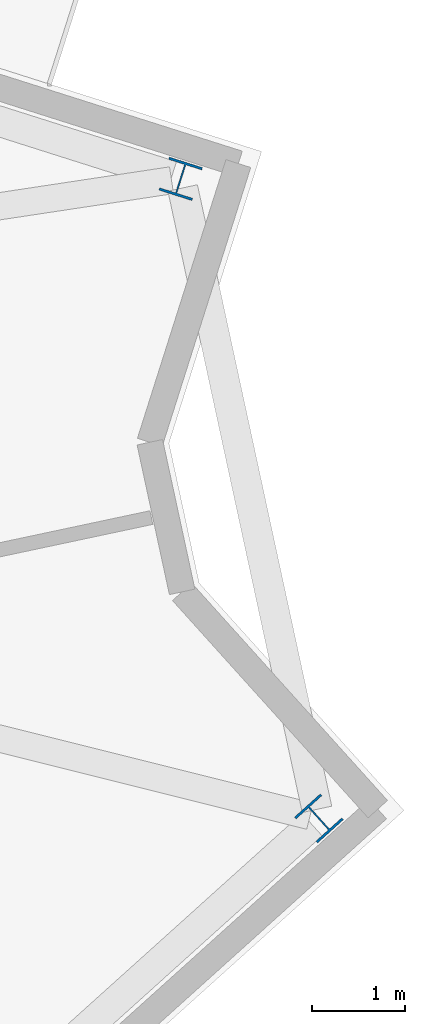
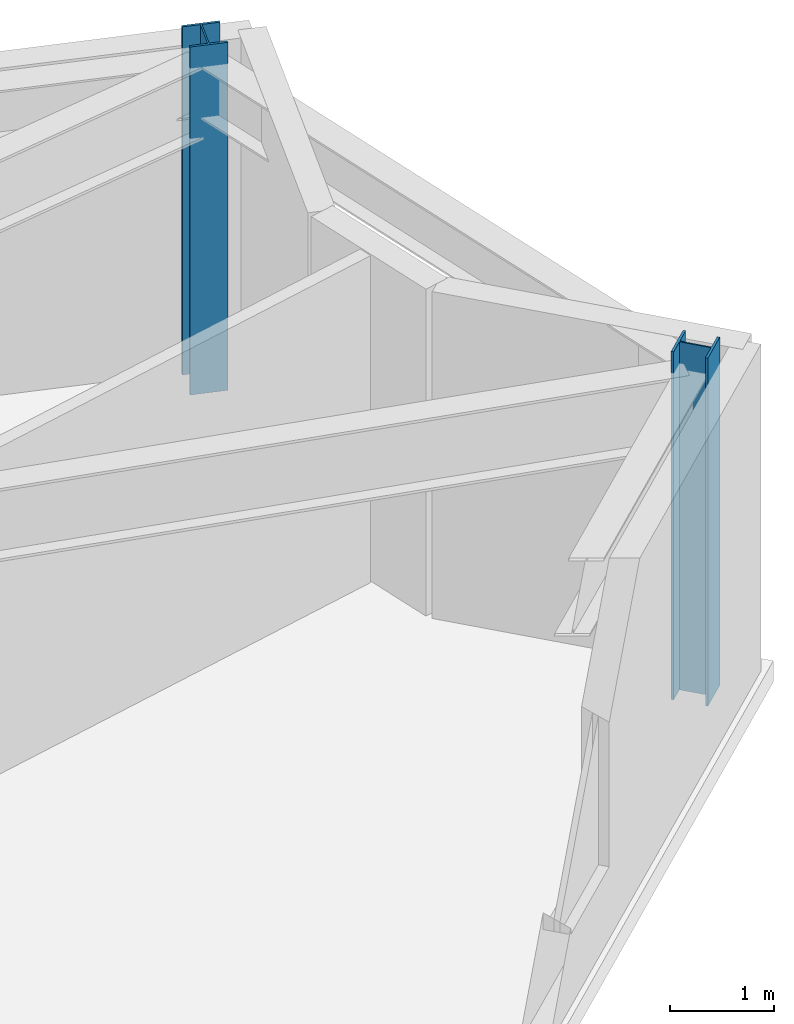
# One storey, part 3 of 11: 2 columns.
"""IFC4 building model written with IfcOpenShell, lengths in metres."""

import ifcopenshell
import ifcopenshell.guid

model = None  # the IFC model being written
_history = None  # IfcOwnerHistory: only IFC2X3 demands one
_inside = {}  # id of a spatial element -> (the spatial element, [elements in it])
_under = {}  # id of a project, library or spatial element -> (it, [spatial elements below it])
_declared = {}  # id of a project -> (the project, [libraries it declares])
_typed = {}  # id of a type object -> (the type object, [elements of that type])
_made_of = {}  # id of a material, layer set ... -> (it, [elements and type objects made of it])


def new_model(schema):
    """Start an empty IFC model of exactly this schema.

    Asked for "IFC4X3", IfcOpenShell would pick the latest addendum, in which some entities
    have other attributes; the version numbers below select the first issue.
    IFC2X3 requires an IfcOwnerHistory on every rooted entity: one is made here for all.
    """
    global model, _history
    if schema == "IFC4X3":
        model = ifcopenshell.file(schema_version=(4, 3, 0, 0))
    else:
        model = ifcopenshell.file(schema=schema)
    _inside.clear()
    _under.clear()
    _declared.clear()
    _typed.clear()
    _made_of.clear()
    _history = None
    if model.schema == "IFC2X3":
        org = make("IfcOrganization", Name="unknown")
        user = make(
            "IfcPersonAndOrganization",
            ThePerson=make("IfcPerson", FamilyName="unknown"),
            TheOrganization=org,
        )
        app = make(
            "IfcApplication",
            ApplicationDeveloper=org,
            Version="unknown",
            ApplicationFullName="unknown",
            ApplicationIdentifier="unknown",
        )
        _history = make(
            "IfcOwnerHistory",
            OwningUser=user,
            OwningApplication=app,
            ChangeAction="ADDED",
            CreationDate=0,
        )
    return model


def make(cls, **values):
    """One entity of the class cls with the attributes given. An attribute that is None is left unset."""
    return model.create_entity(
        cls, **{name: value for name, value in values.items() if value is not None}
    )


def rooted(cls, **values):
    """An entity with a GlobalId (a new one), such as an element, a storey or a relation."""
    return make(cls, GlobalId=ifcopenshell.guid.new(), OwnerHistory=_history, **values)


def si_unit(unit_type, name, prefix=None):
    """IfcSIUnit, for example si_unit("LENGTHUNIT", "METRE", prefix="MILLI")."""
    return make("IfcSIUnit", UnitType=unit_type, Prefix=prefix, Name=name)


def assignment(units):
    """IfcUnitAssignment: the units of a project."""
    return None if units is None else make("IfcUnitAssignment", Units=units)


def point(xyz):
    """IfcCartesianPoint."""
    return None if xyz is None else make("IfcCartesianPoint", Coordinates=xyz)


def direction(xyz):
    """IfcDirection."""
    return None if xyz is None else make("IfcDirection", DirectionRatios=xyz)


def frame(location, z_axis=None, x_axis=None):
    """IfcAxis2Placement3D, a coordinate frame: its origin and axes. An axis left out is left unset."""
    return make(
        "IfcAxis2Placement3D",
        Location=point(location),
        Axis=direction(z_axis),
        RefDirection=direction(x_axis),
    )


def frame_2d(location, x_axis=None):
    """IfcAxis2Placement2D, a coordinate frame in the plane: its origin and x axis."""
    return make(
        "IfcAxis2Placement2D", Location=point(location), RefDirection=direction(x_axis)
    )


def origin():
    """The frame at (0, 0, 0) with its axes left unset."""
    return frame((0.0, 0.0, 0.0))


def origin_2d():
    """The frame at (0, 0) in the plane with its x axis left unset."""
    return frame_2d((0.0, 0.0))


def place(relative_to, where):
    """IfcLocalPlacement: puts the frame where relative to a parent placement (None: the world)."""
    return make(
        "IfcLocalPlacement", PlacementRelTo=relative_to, RelativePlacement=where
    )


def context(
    kind, dimensions, precision=None, world=None, true_north=None, identifier=None
):
    """IfcGeometricRepresentationContext, for example the 3D "Model" context."""
    return make(
        "IfcGeometricRepresentationContext",
        ContextIdentifier=identifier,
        ContextType=kind,
        CoordinateSpaceDimension=dimensions,
        Precision=precision,
        WorldCoordinateSystem=world,
        TrueNorth=true_north,
    )


def subcontext(parent, identifier, kind, view, scale=None):
    """IfcGeometricRepresentationSubContext, for example "Body" below "Model"."""
    return make(
        "IfcGeometricRepresentationSubContext",
        ContextIdentifier=identifier,
        ContextType=kind,
        ParentContext=parent,
        TargetScale=scale,
        TargetView=view,
    )


def project(units=None, contexts=None):
    """IfcProject with its units and contexts."""
    return rooted(
        "IfcProject",
        Name="project",
        RepresentationContexts=contexts,
        UnitsInContext=assignment(units),
    )


def spatial(cls, under=None, at=None, **own):
    """A site, building, storey or space (cls), placed at a placement, below another one or the project."""
    s = rooted(cls, ObjectPlacement=at, **own)
    if under is not None:
        _under.setdefault(under.id(), (under, []))[1].append(s)
    return s


def profile(cls, at=None, kind="AREA", **sizes):
    """A parametric profile (cls). Its sizes go by their IFC names, for example OverallWidth=200.0."""
    return make(cls, ProfileType=kind, Position=at, **sizes)


def i_section(**sizes):
    """IfcIShapeProfileDef."""
    return profile("IfcIShapeProfileDef", **sizes)


def extrude(swept, where, along, depth):
    """IfcExtrudedAreaSolid: the profile swept, set in the frame where, extruded along a direction by depth."""
    return make(
        "IfcExtrudedAreaSolid",
        SweptArea=swept,
        Position=where,
        ExtrudedDirection=direction(along),
        Depth=depth,
    )


def shape(context_of_items, identifier, shape_type, items):
    """IfcShapeRepresentation: the items that make up one representation, for example the "Body"."""
    return make(
        "IfcShapeRepresentation",
        ContextOfItems=context_of_items,
        RepresentationIdentifier=identifier,
        RepresentationType=shape_type,
        Items=items,
    )


def material(Name=None, Category=None):
    """IfcMaterial."""
    return make("IfcMaterial", Name=Name, Category=Category)


def material_profile(
    of_material, cross_section, Name=None, Category=None, Priority=None
):
    """IfcMaterialProfile: a cross section and its material."""
    return make(
        "IfcMaterialProfile",
        Name=Name,
        Material=of_material,
        Profile=cross_section,
        Priority=Priority,
        Category=Category,
    )


def profile_set(profiles, Name=None, composite=None):
    """IfcMaterialProfileSet."""
    return make(
        "IfcMaterialProfileSet",
        Name=Name,
        MaterialProfiles=profiles,
        CompositeProfile=composite,
    )


def made_of(thing, what):
    """Note that an element or type object is made of a material, layer set ...; save() writes the relation."""
    if what is not None:
        _made_of.setdefault(what.id(), (what, []))[1].append(thing)
    return thing


def type_object(cls, material=None, **own):
    """A type object (cls), such as IfcWallType, which elements share."""
    return made_of(rooted(cls, **own), material)


def element(
    cls,
    number,
    at=None,
    inside=None,
    cuts=None,
    type_object=None,
    material=None,
    context=None,
    identifier="Body",
    shape_type=None,
    held_by="IfcProductDefinitionShape",
    body=None,
    shapes=None,
    **own,
):
    """One element of the class cls, such as IfcWall. Its Tag is "e" and its number.

    at: its placement. inside: the storey or other place that contains it. cuts: it is an
    opening in that element (IfcRelVoidsElement). A single representation is given by context,
    identifier, shape_type and body (its items); several are given by shapes. held_by: the class
    of the entity that holds the representations. save() writes the other relations.
    """
    e = rooted(cls, Tag="e%d" % number, ObjectPlacement=at, **own)
    if body is not None:
        shapes = [shape(context, identifier, shape_type, body)]
    if shapes is not None:
        e.Representation = make(held_by, Representations=shapes)
    if inside is not None:
        _inside.setdefault(inside.id(), (inside, []))[1].append(e)
    if cuts is not None:
        rooted(
            "IfcRelVoidsElement", RelatingBuildingElement=cuts, RelatedOpeningElement=e
        )
    if type_object is not None:
        _typed.setdefault(type_object.id(), (type_object, []))[1].append(e)
    return made_of(e, material)


def aggregate(whole, parts):
    """IfcRelAggregates: a whole, such as a stair, and the parts it consists of."""
    return rooted("IfcRelAggregates", RelatingObject=whole, RelatedObjects=parts)


def save(model, path):
    """Write the relations noted so far, then the file.

    IfcRelAggregates (storeys below a building ...), IfcRelContainedInSpatialStructure (elements
    in a storey), IfcRelDefinesByType, IfcRelAssociatesMaterial and IfcRelDeclares: one each for
    every whole, place, type object, material and project.
    """
    for whole, parts in _under.values():
        aggregate(whole, parts)
    for where, things in _inside.values():
        rooted(
            "IfcRelContainedInSpatialStructure",
            RelatedElements=things,
            RelatingStructure=where,
        )
    for kind, things in _typed.values():
        rooted("IfcRelDefinesByType", RelatedObjects=things, RelatingType=kind)
    for what, things in _made_of.values():
        rooted("IfcRelAssociatesMaterial", RelatedObjects=things, RelatingMaterial=what)
    for by, libraries in _declared.values():
        rooted("IfcRelDeclares", RelatingContext=by, RelatedDefinitions=libraries)
    model.write(path)


model = new_model("IFC4")

# Units and contexts
model_context = context("Model", 3, precision=1e-05, world=origin(), true_north=direction((0.0, 1.0)))
body_context = subcontext(model_context, "Body", "Model", "MODEL_VIEW")
ifc_project = project(units=[si_unit("LENGTHUNIT", "METRE"), si_unit("AREAUNIT", "SQUARE_METRE"), si_unit("VOLUMEUNIT", "CUBIC_METRE"), si_unit("PLANEANGLEUNIT", "RADIAN"), si_unit("MASSUNIT", "GRAM", prefix="KILO")], contexts=[model_context])

# Site, building, storey
site_placement = place(None, origin())
site = spatial("IfcSite", under=ifc_project, at=site_placement, CompositionType="ELEMENT")
building_placement = place(site_placement, origin())
building = spatial("IfcBuilding", under=site, at=building_placement, Name="Apsidion Concourse Tower", CompositionType="ELEMENT")
storey_placement = place(building_placement, frame((0.0, 0.0, 252.699951171875)))
storey = spatial("IfcBuildingStorey", under=building, at=storey_placement, Name="L59", CompositionType="ELEMENT", Elevation=252.699951171875)

# Columns
ifc_material = material(Name="Structural steel ASTM A992 Grade 50", Category="steel")
ifc_material_profile = material_profile(ifc_material, i_section(OverallWidth=0.373046875, OverallDepth=0.373046875, WebThickness=0.016357421875, FlangeThickness=0.026123046875, at=origin_2d()), Name="W14X132")
ifc_profile_set = profile_set([ifc_material_profile], Name="Structural steel ASTM A992 Grade 50")
column_type = type_object("IfcColumnType", Name="COL-W14-132", PredefinedType="COLUMN", material=ifc_profile_set)
for number, where, z_axis, x_axis, name in (
    (1, (30.300537109375, 2.81591796875, 0.0), (0.0, 0.0, 1.0), (0.743144825477, 0.669130606359, 0.0), "L59 Rotated Perimeter Column PC08"),
    (2, (28.811279296875, 9.705810546875, 0.0), (0.0, 0.0, 1.0), (-0.953137879774, 0.3025362493, 0.0), "L59 Rotated Perimeter Column PC09"),
):
    element("IfcColumn", number, at=place(storey_placement, frame(where, z_axis=z_axis, x_axis=x_axis)), inside=storey, type_object=column_type, Name=name, PredefinedType="COLUMN", context=body_context, shape_type="SweptSolid", body=[
        extrude(i_section(OverallWidth=0.373046875, OverallDepth=0.373046875, WebThickness=0.016357421875, FlangeThickness=0.026123046875, at=origin_2d()), origin(), (0.0, 0.0, 1.0), 4.10009765625),
    ])

save(model, "model.ifc")
